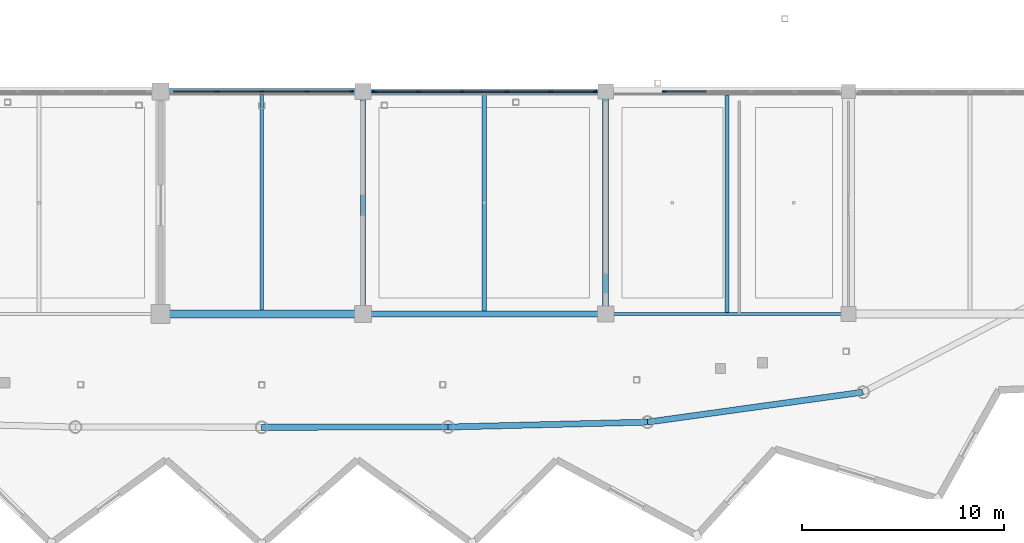
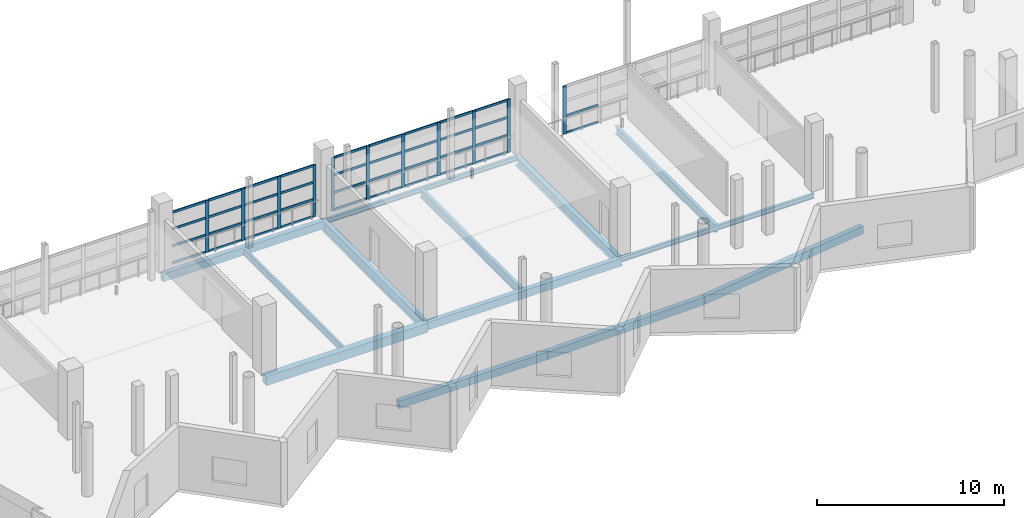
# One storey, part 35 of 118: 49 members, 13 beams, 3 elements without a shape of their own.
"""IFC4 building model written with IfcOpenShell, lengths in metres."""

from ifc_helpers import new_model, si_unit, direction, frame, origin, origin_2d, place, context, subcontext, project, spatial, rectangle, hollow_rectangle, i_section, extrude, material, material_profile, profile_set, type_object, element, aggregate, save


model = new_model("IFC4")

# Units and contexts
model_context = context("Model", 3, precision=1e-05, world=origin(), true_north=direction((0.0, 1.0)))
body_context = subcontext(model_context, "Body", "Model", "MODEL_VIEW")
ifc_project = project(units=[si_unit("LENGTHUNIT", "METRE"), si_unit("AREAUNIT", "SQUARE_METRE"), si_unit("VOLUMEUNIT", "CUBIC_METRE"), si_unit("PLANEANGLEUNIT", "RADIAN"), si_unit("MASSUNIT", "GRAM", prefix="KILO")], contexts=[model_context])

# Site, building, storey
site_placement = place(None, origin())
site = spatial("IfcSite", under=ifc_project, at=site_placement, CompositionType="ELEMENT")
building_placement = place(site_placement, origin())
building = spatial("IfcBuilding", under=site, at=building_placement, Name="Luwafu Chhajja Arena", CompositionType="ELEMENT")
storey_placement = place(building_placement, frame((0.0, 0.0, 10.199951171875)))
storey = spatial("IfcBuildingStorey", under=building, at=storey_placement, Name="L02", CompositionType="ELEMENT", Elevation=10.199951171875)

# Curtain wall, members
ifc_material_1 = material(Name="Anodised bronze aluminium", Category="aluminium")
curtain_wall_type = type_object("IfcCurtainWallType", Name="Hospitality Ring Curtain Wall", PredefinedType="USERDEFINED", material=ifc_material_1)
curtain_wall_1_placement = place(storey_placement, origin())
curtain_wall_1 = element("IfcCurtainWall", 1, at=curtain_wall_1_placement, inside=storey, type_object=curtain_wall_type, Name="L02 Bowl Viewing Curtain Wall CWR-L02-04", ObjectType="CURTAIN WALL", PredefinedType="USERDEFINED")
ifc_material_profile_1 = material_profile(ifc_material_1, rectangle(XDim=0.06494140625, YDim=0.199951171875, at=origin_2d()), Name="CWM 65x200")
ifc_profile_set_1 = profile_set([ifc_material_profile_1], Name="Anodised bronze aluminium")
member_type_1 = type_object("IfcMemberType", Name="Bronze Curtain Wall Mullion 65x200", PredefinedType="MULLION", material=ifc_profile_set_1)
member_1_placement = place(storey_placement, frame((96.788818359375, 22.0, 0.0), z_axis=(0.0, 0.0, 1.0), x_axis=(0.0, 1.0, 0.0)))
member_1 = element("IfcMember", 2, at=member_1_placement, type_object=member_type_1, Name="CW-02 mullion 2", PredefinedType="MULLION", context=body_context, shape_type="SweptSolid", body=[
    extrude(rectangle(XDim=0.06494140625, YDim=0.199951171875, at=origin_2d()), origin(), (0.0, 0.0, 1.0), 3.39013671875),
])
member_2_placement = place(storey_placement, frame((99.012451171875, 22.0, 0.0), z_axis=(0.0, 0.0, 1.0), x_axis=(0.0, 1.0, 0.0)))
member_2 = element("IfcMember", 3, at=member_2_placement, type_object=member_type_1, Name="CW-02 mullion 3", PredefinedType="MULLION", context=body_context, shape_type="SweptSolid", body=[
    extrude(rectangle(XDim=0.06494140625, YDim=0.199951171875, at=origin_2d()), origin(), (0.0, 0.0, 1.0), 3.39013671875),
])
member_3_placement = place(storey_placement, frame((101.236328125, 22.0, 0.0), z_axis=(0.0, 0.0, 1.0), x_axis=(0.0, 1.0, 0.0)))
member_3 = element("IfcMember", 4, at=member_3_placement, type_object=member_type_1, Name="CW-02 mullion 4", PredefinedType="MULLION", context=body_context, shape_type="SweptSolid", body=[
    extrude(rectangle(XDim=0.06494140625, YDim=0.199951171875, at=origin_2d()), origin(), (0.0, 0.0, 1.0), 3.39013671875),
])
member_4_placement = place(storey_placement, frame((103.427490234375, 22.0, 0.0), z_axis=(0.0, 0.0, 1.0), x_axis=(0.0, 1.0, 0.0)))
member_4 = element("IfcMember", 5, at=member_4_placement, type_object=member_type_1, Name="CW-02 mullion 5", PredefinedType="MULLION", context=body_context, shape_type="SweptSolid", body=[
    extrude(rectangle(XDim=0.06494140625, YDim=0.199951171875, at=origin_2d()), origin(), (0.0, 0.0, 1.0), 3.39013671875),
])

curtain_wall_2_placement = place(storey_placement, origin())
curtain_wall_2 = element("IfcCurtainWall", 6, at=curtain_wall_2_placement, inside=storey, type_object=curtain_wall_type, Name="L02 Bowl Viewing Curtain Wall CWR-L02-05", ObjectType="CURTAIN WALL", PredefinedType="USERDEFINED")
member_5_placement = place(storey_placement, frame((104.572509765625, 22.0, 0.0), z_axis=(0.0, 0.0, 1.0), x_axis=(0.0, 1.0, 0.0)))
member_5 = element("IfcMember", 7, at=member_5_placement, type_object=member_type_1, Name="CW-02 mullion 1", PredefinedType="MULLION", context=body_context, shape_type="SweptSolid", body=[
    extrude(rectangle(XDim=0.06494140625, YDim=0.199951171875, at=origin_2d()), origin(), (0.0, 0.0, 1.0), 3.469970703125),
])
member_6_placement = place(storey_placement, frame((106.72900390625, 22.0, 0.0), z_axis=(0.0, 0.0, 1.0), x_axis=(0.0, 1.0, 0.0)))
member_6 = element("IfcMember", 8, at=member_6_placement, type_object=member_type_1, Name="CW-02 mullion 2", PredefinedType="MULLION", context=body_context, shape_type="SweptSolid", body=[
    extrude(rectangle(XDim=0.06494140625, YDim=0.199951171875, at=origin_2d()), origin(), (0.0, 0.0, 1.0), 3.469970703125),
])
member_7_placement = place(storey_placement, frame((108.91796875, 22.0, 0.0), z_axis=(0.0, 0.0, 1.0), x_axis=(0.0, 1.0, 0.0)))
member_7 = element("IfcMember", 9, at=member_7_placement, type_object=member_type_1, Name="CW-02 mullion 3", PredefinedType="MULLION", context=body_context, shape_type="SweptSolid", body=[
    extrude(rectangle(XDim=0.06494140625, YDim=0.199951171875, at=origin_2d()), origin(), (0.0, 0.0, 1.0), 3.469970703125),
])
member_8_placement = place(storey_placement, frame((111.10693359375, 22.0, 0.0), z_axis=(0.0, 0.0, 1.0), x_axis=(0.0, 1.0, 0.0)))
member_8 = element("IfcMember", 10, at=member_8_placement, type_object=member_type_1, Name="CW-02 mullion 4", PredefinedType="MULLION", context=body_context, shape_type="SweptSolid", body=[
    extrude(rectangle(XDim=0.06494140625, YDim=0.199951171875, at=origin_2d()), origin(), (0.0, 0.0, 1.0), 3.469970703125),
])
member_9_placement = place(storey_placement, frame((113.2958984375, 22.0, 0.0), z_axis=(0.0, 0.0, 1.0), x_axis=(0.0, 1.0, 0.0)))
member_9 = element("IfcMember", 11, at=member_9_placement, type_object=member_type_1, Name="CW-02 mullion 5", PredefinedType="MULLION", context=body_context, shape_type="SweptSolid", body=[
    extrude(rectangle(XDim=0.06494140625, YDim=0.199951171875, at=origin_2d()), origin(), (0.0, 0.0, 1.0), 3.469970703125),
])
member_10_placement = place(storey_placement, frame((115.452392578125, 22.0, 0.0), z_axis=(0.0, 0.0, 1.0), x_axis=(0.0, 1.0, 0.0)))
member_10 = element("IfcMember", 12, at=member_10_placement, type_object=member_type_1, Name="CW-02 mullion 6", PredefinedType="MULLION", context=body_context, shape_type="SweptSolid", body=[
    extrude(rectangle(XDim=0.06494140625, YDim=0.199951171875, at=origin_2d()), origin(), (0.0, 0.0, 1.0), 3.469970703125),
])

# Curtain wall, member
curtain_wall_3_placement = place(storey_placement, origin())
curtain_wall_3 = element("IfcCurtainWall", 13, at=curtain_wall_3_placement, inside=storey, type_object=curtain_wall_type, Name="L02 Bowl Viewing Curtain Wall CWR-L02-06", ObjectType="CURTAIN WALL", PredefinedType="USERDEFINED")
member_11_placement = place(storey_placement, frame((118.899169921875, 22.0, 0.0), z_axis=(0.0, 0.0, 1.0), x_axis=(0.0, 1.0, 0.0)))
member_11 = element("IfcMember", 14, at=member_11_placement, type_object=member_type_1, Name="CW-02 mullion 1", PredefinedType="MULLION", context=body_context, shape_type="SweptSolid", body=[
    extrude(rectangle(XDim=0.06494140625, YDim=0.199951171875, at=origin_2d()), origin(), (0.0, 0.0, 1.0), 3.14013671875),
])

# Member
ifc_material_profile_2 = material_profile(ifc_material_1, rectangle(XDim=0.06494140625, YDim=0.14990234375, at=origin_2d()), Name="CWT 65x150")
ifc_profile_set_2 = profile_set([ifc_material_profile_2], Name="Anodised bronze aluminium")
member_type_2 = type_object("IfcMemberType", Name="Bronze Curtain Wall Transom 65x150", PredefinedType="USERDEFINED", material=ifc_profile_set_2)
member_12_placement = place(storey_placement, frame((94.6298828125, 22.0, 0.032470703125), z_axis=(1.0, 0.0, 0.0), x_axis=(0.0, 1.0, 0.0)))
member_12 = element("IfcMember", 15, at=member_12_placement, type_object=member_type_2, Name="CW-02 transom 1.1", ObjectType="TRANSOM", PredefinedType="USERDEFINED", context=body_context, shape_type="SweptSolid", body=[
    extrude(rectangle(XDim=0.06494140625, YDim=0.14990234375, at=origin_2d()), origin(), (0.0, 0.0, 1.0), 2.12646484375),
])

member_13_placement = place(storey_placement, frame((94.6298828125, 22.0, 1.150146484375), z_axis=(1.0, 0.0, 0.0), x_axis=(0.0, 1.0, 0.0)))
member_13 = element("IfcMember", 16, at=member_13_placement, type_object=member_type_2, Name="CW-02 transom 1.2", ObjectType="TRANSOM", PredefinedType="USERDEFINED", context=body_context, shape_type="SweptSolid", body=[
    extrude(rectangle(XDim=0.06494140625, YDim=0.14990234375, at=origin_2d()), origin(), (0.0, 0.0, 1.0), 2.12646484375),
])

member_14_placement = place(storey_placement, frame((94.6298828125, 22.0, 2.27001953125), z_axis=(1.0, 0.0, 0.0), x_axis=(0.0, 1.0, 0.0)))
member_14 = element("IfcMember", 17, at=member_14_placement, type_object=member_type_2, Name="CW-02 transom 1.3", ObjectType="TRANSOM", PredefinedType="USERDEFINED", context=body_context, shape_type="SweptSolid", body=[
    extrude(rectangle(XDim=0.06494140625, YDim=0.14990234375, at=origin_2d()), origin(), (0.0, 0.0, 1.0), 2.12646484375),
])

member_15_placement = place(storey_placement, frame((94.6298828125, 22.0, 3.357666015625), z_axis=(1.0, 0.0, 0.0), x_axis=(0.0, 1.0, 0.0)))
member_15 = element("IfcMember", 18, at=member_15_placement, type_object=member_type_2, Name="CW-02 transom 1.4", ObjectType="TRANSOM", PredefinedType="USERDEFINED", context=body_context, shape_type="SweptSolid", body=[
    extrude(rectangle(XDim=0.06494140625, YDim=0.14990234375, at=origin_2d()), origin(), (0.0, 0.0, 1.0), 2.12646484375),
])

member_16_placement = place(storey_placement, frame((96.8212890625, 22.0, 0.032470703125), z_axis=(1.0, 0.0, 0.0), x_axis=(0.0, 1.0, 0.0)))
member_16 = element("IfcMember", 19, at=member_16_placement, type_object=member_type_2, Name="CW-02 transom 2.1", ObjectType="TRANSOM", PredefinedType="USERDEFINED", context=body_context, shape_type="SweptSolid", body=[
    extrude(rectangle(XDim=0.06494140625, YDim=0.14990234375, at=origin_2d()), origin(), (0.0, 0.0, 1.0), 2.15869140625),
])

member_17_placement = place(storey_placement, frame((96.8212890625, 22.0, 1.150146484375), z_axis=(1.0, 0.0, 0.0), x_axis=(0.0, 1.0, 0.0)))
member_17 = element("IfcMember", 20, at=member_17_placement, type_object=member_type_2, Name="CW-02 transom 2.2", ObjectType="TRANSOM", PredefinedType="USERDEFINED", context=body_context, shape_type="SweptSolid", body=[
    extrude(rectangle(XDim=0.06494140625, YDim=0.14990234375, at=origin_2d()), origin(), (0.0, 0.0, 1.0), 2.15869140625),
])

member_18_placement = place(storey_placement, frame((96.8212890625, 22.0, 2.27001953125), z_axis=(1.0, 0.0, 0.0), x_axis=(0.0, 1.0, 0.0)))
member_18 = element("IfcMember", 21, at=member_18_placement, type_object=member_type_2, Name="CW-02 transom 2.3", ObjectType="TRANSOM", PredefinedType="USERDEFINED", context=body_context, shape_type="SweptSolid", body=[
    extrude(rectangle(XDim=0.06494140625, YDim=0.14990234375, at=origin_2d()), origin(), (0.0, 0.0, 1.0), 2.15869140625),
])

member_19_placement = place(storey_placement, frame((96.8212890625, 22.0, 3.357666015625), z_axis=(1.0, 0.0, 0.0), x_axis=(0.0, 1.0, 0.0)))
member_19 = element("IfcMember", 22, at=member_19_placement, type_object=member_type_2, Name="CW-02 transom 2.4", ObjectType="TRANSOM", PredefinedType="USERDEFINED", context=body_context, shape_type="SweptSolid", body=[
    extrude(rectangle(XDim=0.06494140625, YDim=0.14990234375, at=origin_2d()), origin(), (0.0, 0.0, 1.0), 2.15869140625),
])

member_20_placement = place(storey_placement, frame((99.044921875, 22.0, 0.032470703125), z_axis=(1.0, 0.0, 0.0), x_axis=(0.0, 1.0, 0.0)))
member_20 = element("IfcMember", 23, at=member_20_placement, type_object=member_type_2, Name="CW-02 transom 3.1", ObjectType="TRANSOM", PredefinedType="USERDEFINED", context=body_context, shape_type="SweptSolid", body=[
    extrude(rectangle(XDim=0.06494140625, YDim=0.14990234375, at=origin_2d()), origin(), (0.0, 0.0, 1.0), 2.158935546875),
])

member_21_placement = place(storey_placement, frame((99.044921875, 22.0, 1.150146484375), z_axis=(1.0, 0.0, 0.0), x_axis=(0.0, 1.0, 0.0)))
member_21 = element("IfcMember", 24, at=member_21_placement, type_object=member_type_2, Name="CW-02 transom 3.2", ObjectType="TRANSOM", PredefinedType="USERDEFINED", context=body_context, shape_type="SweptSolid", body=[
    extrude(rectangle(XDim=0.06494140625, YDim=0.14990234375, at=origin_2d()), origin(), (0.0, 0.0, 1.0), 2.158935546875),
])

member_22_placement = place(storey_placement, frame((99.044921875, 22.0, 2.27001953125), z_axis=(1.0, 0.0, 0.0), x_axis=(0.0, 1.0, 0.0)))
member_22 = element("IfcMember", 25, at=member_22_placement, type_object=member_type_2, Name="CW-02 transom 3.3", ObjectType="TRANSOM", PredefinedType="USERDEFINED", context=body_context, shape_type="SweptSolid", body=[
    extrude(rectangle(XDim=0.06494140625, YDim=0.14990234375, at=origin_2d()), origin(), (0.0, 0.0, 1.0), 2.158935546875),
])

member_23_placement = place(storey_placement, frame((99.044921875, 22.0, 3.357666015625), z_axis=(1.0, 0.0, 0.0), x_axis=(0.0, 1.0, 0.0)))
member_23 = element("IfcMember", 26, at=member_23_placement, type_object=member_type_2, Name="CW-02 transom 3.4", ObjectType="TRANSOM", PredefinedType="USERDEFINED", context=body_context, shape_type="SweptSolid", body=[
    extrude(rectangle(XDim=0.06494140625, YDim=0.14990234375, at=origin_2d()), origin(), (0.0, 0.0, 1.0), 2.158935546875),
])

member_24_placement = place(storey_placement, frame((101.268798828125, 22.0, 0.032470703125), z_axis=(1.0, 0.0, 0.0), x_axis=(0.0, 1.0, 0.0)))
member_24 = element("IfcMember", 27, at=member_24_placement, type_object=member_type_2, Name="CW-02 transom 4.1", ObjectType="TRANSOM", PredefinedType="USERDEFINED", context=body_context, shape_type="SweptSolid", body=[
    extrude(rectangle(XDim=0.06494140625, YDim=0.14990234375, at=origin_2d()), origin(), (0.0, 0.0, 1.0), 2.126220703125),
])

member_25_placement = place(storey_placement, frame((101.268798828125, 22.0, 1.150146484375), z_axis=(1.0, 0.0, 0.0), x_axis=(0.0, 1.0, 0.0)))
member_25 = element("IfcMember", 28, at=member_25_placement, type_object=member_type_2, Name="CW-02 transom 4.2", ObjectType="TRANSOM", PredefinedType="USERDEFINED", context=body_context, shape_type="SweptSolid", body=[
    extrude(rectangle(XDim=0.06494140625, YDim=0.14990234375, at=origin_2d()), origin(), (0.0, 0.0, 1.0), 2.126220703125),
])

member_26_placement = place(storey_placement, frame((101.268798828125, 22.0, 2.27001953125), z_axis=(1.0, 0.0, 0.0), x_axis=(0.0, 1.0, 0.0)))
member_26 = element("IfcMember", 29, at=member_26_placement, type_object=member_type_2, Name="CW-02 transom 4.3", ObjectType="TRANSOM", PredefinedType="USERDEFINED", context=body_context, shape_type="SweptSolid", body=[
    extrude(rectangle(XDim=0.06494140625, YDim=0.14990234375, at=origin_2d()), origin(), (0.0, 0.0, 1.0), 2.126220703125),
])

member_27_placement = place(storey_placement, frame((101.268798828125, 22.0, 3.357666015625), z_axis=(1.0, 0.0, 0.0), x_axis=(0.0, 1.0, 0.0)))
member_27 = element("IfcMember", 30, at=member_27_placement, type_object=member_type_2, Name="CW-02 transom 4.4", ObjectType="TRANSOM", PredefinedType="USERDEFINED", context=body_context, shape_type="SweptSolid", body=[
    extrude(rectangle(XDim=0.06494140625, YDim=0.14990234375, at=origin_2d()), origin(), (0.0, 0.0, 1.0), 2.126220703125),
])

aggregate(curtain_wall_1, [member_1, member_2, member_3, member_4, member_12, member_13, member_14, member_15, member_16, member_17, member_18, member_19, member_20, member_21, member_22, member_23, member_24, member_25, member_26, member_27])

member_28_placement = place(storey_placement, frame((104.60498046875, 22.0, 0.032470703125), z_axis=(1.0, 0.0, 0.0), x_axis=(0.0, 1.0, 0.0)))
member_28 = element("IfcMember", 31, at=member_28_placement, type_object=member_type_2, Name="CW-02 transom 1.1", ObjectType="TRANSOM", PredefinedType="USERDEFINED", context=body_context, shape_type="SweptSolid", body=[
    extrude(rectangle(XDim=0.06494140625, YDim=0.14990234375, at=origin_2d()), origin(), (0.0, 0.0, 1.0), 2.091552734375),
])

member_29_placement = place(storey_placement, frame((104.60498046875, 22.0, 1.150146484375), z_axis=(1.0, 0.0, 0.0), x_axis=(0.0, 1.0, 0.0)))
member_29 = element("IfcMember", 32, at=member_29_placement, type_object=member_type_2, Name="CW-02 transom 1.2", ObjectType="TRANSOM", PredefinedType="USERDEFINED", context=body_context, shape_type="SweptSolid", body=[
    extrude(rectangle(XDim=0.06494140625, YDim=0.14990234375, at=origin_2d()), origin(), (0.0, 0.0, 1.0), 2.091552734375),
])

member_30_placement = place(storey_placement, frame((104.60498046875, 22.0, 2.31005859375), z_axis=(1.0, 0.0, 0.0), x_axis=(0.0, 1.0, 0.0)))
member_30 = element("IfcMember", 33, at=member_30_placement, type_object=member_type_2, Name="CW-02 transom 1.3", ObjectType="TRANSOM", PredefinedType="USERDEFINED", context=body_context, shape_type="SweptSolid", body=[
    extrude(rectangle(XDim=0.06494140625, YDim=0.14990234375, at=origin_2d()), origin(), (0.0, 0.0, 1.0), 2.091552734375),
])

member_31_placement = place(storey_placement, frame((104.60498046875, 22.0, 3.437255859375), z_axis=(1.0, 0.0, 0.0), x_axis=(0.0, 1.0, 0.0)))
member_31 = element("IfcMember", 34, at=member_31_placement, type_object=member_type_2, Name="CW-02 transom 1.4", ObjectType="TRANSOM", PredefinedType="USERDEFINED", context=body_context, shape_type="SweptSolid", body=[
    extrude(rectangle(XDim=0.06494140625, YDim=0.14990234375, at=origin_2d()), origin(), (0.0, 0.0, 1.0), 2.091552734375),
])

member_32_placement = place(storey_placement, frame((106.761474609375, 22.0, 0.032470703125), z_axis=(1.0, 0.0, 0.0), x_axis=(0.0, 1.0, 0.0)))
member_32 = element("IfcMember", 35, at=member_32_placement, type_object=member_type_2, Name="CW-02 transom 2.1", ObjectType="TRANSOM", PredefinedType="USERDEFINED", context=body_context, shape_type="SweptSolid", body=[
    extrude(rectangle(XDim=0.06494140625, YDim=0.14990234375, at=origin_2d()), origin(), (0.0, 0.0, 1.0), 2.1240234375),
])

member_33_placement = place(storey_placement, frame((106.761474609375, 22.0, 1.150146484375), z_axis=(1.0, 0.0, 0.0), x_axis=(0.0, 1.0, 0.0)))
member_33 = element("IfcMember", 36, at=member_33_placement, type_object=member_type_2, Name="CW-02 transom 2.2", ObjectType="TRANSOM", PredefinedType="USERDEFINED", context=body_context, shape_type="SweptSolid", body=[
    extrude(rectangle(XDim=0.06494140625, YDim=0.14990234375, at=origin_2d()), origin(), (0.0, 0.0, 1.0), 2.1240234375),
])

member_34_placement = place(storey_placement, frame((106.761474609375, 22.0, 2.31005859375), z_axis=(1.0, 0.0, 0.0), x_axis=(0.0, 1.0, 0.0)))
member_34 = element("IfcMember", 37, at=member_34_placement, type_object=member_type_2, Name="CW-02 transom 2.3", ObjectType="TRANSOM", PredefinedType="USERDEFINED", context=body_context, shape_type="SweptSolid", body=[
    extrude(rectangle(XDim=0.06494140625, YDim=0.14990234375, at=origin_2d()), origin(), (0.0, 0.0, 1.0), 2.1240234375),
])

member_35_placement = place(storey_placement, frame((106.761474609375, 22.0, 3.437255859375), z_axis=(1.0, 0.0, 0.0), x_axis=(0.0, 1.0, 0.0)))
member_35 = element("IfcMember", 38, at=member_35_placement, type_object=member_type_2, Name="CW-02 transom 2.4", ObjectType="TRANSOM", PredefinedType="USERDEFINED", context=body_context, shape_type="SweptSolid", body=[
    extrude(rectangle(XDim=0.06494140625, YDim=0.14990234375, at=origin_2d()), origin(), (0.0, 0.0, 1.0), 2.1240234375),
])

member_36_placement = place(storey_placement, frame((108.950439453125, 22.0, 0.032470703125), z_axis=(1.0, 0.0, 0.0), x_axis=(0.0, 1.0, 0.0)))
member_36 = element("IfcMember", 39, at=member_36_placement, type_object=member_type_2, Name="CW-02 transom 3.1", ObjectType="TRANSOM", PredefinedType="USERDEFINED", context=body_context, shape_type="SweptSolid", body=[
    extrude(rectangle(XDim=0.06494140625, YDim=0.14990234375, at=origin_2d()), origin(), (0.0, 0.0, 1.0), 2.1240234375),
])

member_37_placement = place(storey_placement, frame((108.950439453125, 22.0, 1.150146484375), z_axis=(1.0, 0.0, 0.0), x_axis=(0.0, 1.0, 0.0)))
member_37 = element("IfcMember", 40, at=member_37_placement, type_object=member_type_2, Name="CW-02 transom 3.2", ObjectType="TRANSOM", PredefinedType="USERDEFINED", context=body_context, shape_type="SweptSolid", body=[
    extrude(rectangle(XDim=0.06494140625, YDim=0.14990234375, at=origin_2d()), origin(), (0.0, 0.0, 1.0), 2.1240234375),
])

member_38_placement = place(storey_placement, frame((108.950439453125, 22.0, 2.31005859375), z_axis=(1.0, 0.0, 0.0), x_axis=(0.0, 1.0, 0.0)))
member_38 = element("IfcMember", 41, at=member_38_placement, type_object=member_type_2, Name="CW-02 transom 3.3", ObjectType="TRANSOM", PredefinedType="USERDEFINED", context=body_context, shape_type="SweptSolid", body=[
    extrude(rectangle(XDim=0.06494140625, YDim=0.14990234375, at=origin_2d()), origin(), (0.0, 0.0, 1.0), 2.1240234375),
])

member_39_placement = place(storey_placement, frame((108.950439453125, 22.0, 3.437255859375), z_axis=(1.0, 0.0, 0.0), x_axis=(0.0, 1.0, 0.0)))
member_39 = element("IfcMember", 42, at=member_39_placement, type_object=member_type_2, Name="CW-02 transom 3.4", ObjectType="TRANSOM", PredefinedType="USERDEFINED", context=body_context, shape_type="SweptSolid", body=[
    extrude(rectangle(XDim=0.06494140625, YDim=0.14990234375, at=origin_2d()), origin(), (0.0, 0.0, 1.0), 2.1240234375),
])

member_40_placement = place(storey_placement, frame((111.139404296875, 22.0, 0.032470703125), z_axis=(1.0, 0.0, 0.0), x_axis=(0.0, 1.0, 0.0)))
member_40 = element("IfcMember", 43, at=member_40_placement, type_object=member_type_2, Name="CW-02 transom 4.1", ObjectType="TRANSOM", PredefinedType="USERDEFINED", context=body_context, shape_type="SweptSolid", body=[
    extrude(rectangle(XDim=0.06494140625, YDim=0.14990234375, at=origin_2d()), origin(), (0.0, 0.0, 1.0), 2.1240234375),
])

member_41_placement = place(storey_placement, frame((111.139404296875, 22.0, 1.150146484375), z_axis=(1.0, 0.0, 0.0), x_axis=(0.0, 1.0, 0.0)))
member_41 = element("IfcMember", 44, at=member_41_placement, type_object=member_type_2, Name="CW-02 transom 4.2", ObjectType="TRANSOM", PredefinedType="USERDEFINED", context=body_context, shape_type="SweptSolid", body=[
    extrude(rectangle(XDim=0.06494140625, YDim=0.14990234375, at=origin_2d()), origin(), (0.0, 0.0, 1.0), 2.1240234375),
])

member_42_placement = place(storey_placement, frame((111.139404296875, 22.0, 2.31005859375), z_axis=(1.0, 0.0, 0.0), x_axis=(0.0, 1.0, 0.0)))
member_42 = element("IfcMember", 45, at=member_42_placement, type_object=member_type_2, Name="CW-02 transom 4.3", ObjectType="TRANSOM", PredefinedType="USERDEFINED", context=body_context, shape_type="SweptSolid", body=[
    extrude(rectangle(XDim=0.06494140625, YDim=0.14990234375, at=origin_2d()), origin(), (0.0, 0.0, 1.0), 2.1240234375),
])

member_43_placement = place(storey_placement, frame((111.139404296875, 22.0, 3.437255859375), z_axis=(1.0, 0.0, 0.0), x_axis=(0.0, 1.0, 0.0)))
member_43 = element("IfcMember", 46, at=member_43_placement, type_object=member_type_2, Name="CW-02 transom 4.4", ObjectType="TRANSOM", PredefinedType="USERDEFINED", context=body_context, shape_type="SweptSolid", body=[
    extrude(rectangle(XDim=0.06494140625, YDim=0.14990234375, at=origin_2d()), origin(), (0.0, 0.0, 1.0), 2.1240234375),
])

member_44_placement = place(storey_placement, frame((113.32861328125, 22.0, 0.032470703125), z_axis=(1.0, 0.0, 0.0), x_axis=(0.0, 1.0, 0.0)))
member_44 = element("IfcMember", 47, at=member_44_placement, type_object=member_type_2, Name="CW-02 transom 5.1", ObjectType="TRANSOM", PredefinedType="USERDEFINED", context=body_context, shape_type="SweptSolid", body=[
    extrude(rectangle(XDim=0.06494140625, YDim=0.14990234375, at=origin_2d()), origin(), (0.0, 0.0, 1.0), 2.09130859375),
])

member_45_placement = place(storey_placement, frame((113.32861328125, 22.0, 1.150146484375), z_axis=(1.0, 0.0, 0.0), x_axis=(0.0, 1.0, 0.0)))
member_45 = element("IfcMember", 48, at=member_45_placement, type_object=member_type_2, Name="CW-02 transom 5.2", ObjectType="TRANSOM", PredefinedType="USERDEFINED", context=body_context, shape_type="SweptSolid", body=[
    extrude(rectangle(XDim=0.06494140625, YDim=0.14990234375, at=origin_2d()), origin(), (0.0, 0.0, 1.0), 2.09130859375),
])

member_46_placement = place(storey_placement, frame((113.32861328125, 22.0, 2.31005859375), z_axis=(1.0, 0.0, 0.0), x_axis=(0.0, 1.0, 0.0)))
member_46 = element("IfcMember", 49, at=member_46_placement, type_object=member_type_2, Name="CW-02 transom 5.3", ObjectType="TRANSOM", PredefinedType="USERDEFINED", context=body_context, shape_type="SweptSolid", body=[
    extrude(rectangle(XDim=0.06494140625, YDim=0.14990234375, at=origin_2d()), origin(), (0.0, 0.0, 1.0), 2.09130859375),
])

member_47_placement = place(storey_placement, frame((113.32861328125, 22.0, 3.437255859375), z_axis=(1.0, 0.0, 0.0), x_axis=(0.0, 1.0, 0.0)))
member_47 = element("IfcMember", 50, at=member_47_placement, type_object=member_type_2, Name="CW-02 transom 5.4", ObjectType="TRANSOM", PredefinedType="USERDEFINED", context=body_context, shape_type="SweptSolid", body=[
    extrude(rectangle(XDim=0.06494140625, YDim=0.14990234375, at=origin_2d()), origin(), (0.0, 0.0, 1.0), 2.09130859375),
])

aggregate(curtain_wall_2, [member_5, member_6, member_7, member_8, member_9, member_10, member_28, member_29, member_30, member_31, member_32, member_33, member_34, member_35, member_36, member_37, member_38, member_39, member_40, member_41, member_42, member_43, member_44, member_45, member_46, member_47])

member_48_placement = place(storey_placement, frame((118.931640625, 22.0, 0.032470703125), z_axis=(1.0, 0.0, 0.0), x_axis=(0.0, 1.0, 0.0)))
member_48 = element("IfcMember", 51, at=member_48_placement, type_object=member_type_2, Name="CW-02 transom 1.1", ObjectType="TRANSOM", PredefinedType="USERDEFINED", context=body_context, shape_type="SweptSolid", body=[
    extrude(rectangle(XDim=0.06494140625, YDim=0.14990234375, at=origin_2d()), origin(), (0.0, 0.0, 1.0), 2.063232421875),
])

member_49_placement = place(storey_placement, frame((118.931640625, 22.0, 1.150146484375), z_axis=(1.0, 0.0, 0.0), x_axis=(0.0, 1.0, 0.0)))
member_49 = element("IfcMember", 52, at=member_49_placement, type_object=member_type_2, Name="CW-02 transom 1.2", ObjectType="TRANSOM", PredefinedType="USERDEFINED", context=body_context, shape_type="SweptSolid", body=[
    extrude(rectangle(XDim=0.06494140625, YDim=0.14990234375, at=origin_2d()), origin(), (0.0, 0.0, 1.0), 2.063232421875),
])

aggregate(curtain_wall_3, [member_11, member_48, member_49])

# Beams
ifc_material_2 = material(Name="Steel S355", Category="steel")
ifc_material_profile_3 = material_profile(ifc_material_2, i_section(OverallWidth=0.165771484375, OverallDepth=0.306640625, WebThickness=0.006591796875, FlangeThickness=0.01171875, at=origin_2d()), Name="UB 305x165x46")
ifc_profile_set_3 = profile_set([ifc_material_profile_3], Name="Steel S355")
beam_type_1 = type_object("IfcBeamType", Name="Concourse Edge Spandrel Beam UB 305x165x46", PredefinedType="SPANDREL", material=ifc_profile_set_3)
for number, where, z_axis, x_axis, name in (
    (53, (104.0, 22.0, -0.543212890625), (1.0, 0.0, 0.0), (0.0, 1.0, 0.0), "L02 Grid Beam 10-11/C"),
    (54, (116.0, 11.0, -0.543212890625), (1.0, 0.0, 0.0), (0.0, 1.0, 0.0), "L02 Grid Beam 11-12/B"),
):
    element("IfcBeam", number, at=place(storey_placement, frame(where, z_axis=z_axis, x_axis=x_axis)), inside=storey, type_object=beam_type_1, Name=name, PredefinedType="SPANDREL", context=body_context, shape_type="SweptSolid", body=[
        extrude(i_section(OverallWidth=0.165771484375, OverallDepth=0.306640625, WebThickness=0.006591796875, FlangeThickness=0.01171875, at=origin_2d()), origin(), (0.0, 0.0, 1.0), 12.0),
    ])
ifc_material_profile_4 = material_profile(ifc_material_2, i_section(OverallWidth=0.15283203125, OverallDepth=0.45458984375, WebThickness=0.008056640625, FlangeThickness=0.01318359375, at=origin_2d()), Name="UB 457x152x60")
ifc_profile_set_4 = profile_set([ifc_material_profile_4], Name="Steel S355")
beam_type_2 = type_object("IfcBeamType", Name="Floor Joist UB 457x152x60", PredefinedType="JOIST", material=ifc_profile_set_4)
beam_1_placement = place(storey_placement, frame((99.0, 11.199951171875, -0.6171875), z_axis=(0.0, 1.0, 0.0), x_axis=(-1.0, 0.0, 0.0)))
element("IfcBeam", 55, at=beam_1_placement, inside=storey, type_object=beam_type_2, Name="L02 Secondary Joist 9-10/B", PredefinedType="JOIST", context=body_context, shape_type="SweptSolid", body=[
    extrude(i_section(OverallWidth=0.15283203125, OverallDepth=0.45458984375, WebThickness=0.008056640625, FlangeThickness=0.01318359375, at=origin_2d()), origin(), (0.0, 0.0, 1.0), 10.650146484375),
])
ifc_material_profile_5 = material_profile(ifc_material_2, i_section(OverallWidth=0.2099609375, OverallDepth=0.53662109375, WebThickness=0.0107421875, FlangeThickness=0.017333984375, at=origin_2d()), Name="UB 533x210x101")
ifc_profile_set_5 = profile_set([ifc_material_profile_5], Name="Steel S355")
beam_type_3 = type_object("IfcBeamType", Name="Floor Joist UB 533x210x101", PredefinedType="JOIST", material=ifc_profile_set_5)
beam_2_placement = place(storey_placement, frame((110.0, 11.14990234375, -0.658203125), z_axis=(0.0, 1.0, 0.0), x_axis=(-1.0, 0.0, 0.0)))
element("IfcBeam", 56, at=beam_2_placement, inside=storey, type_object=beam_type_3, Name="L02 Secondary Joist 10-11/B", PredefinedType="JOIST", context=body_context, shape_type="SweptSolid", body=[
    extrude(i_section(OverallWidth=0.2099609375, OverallDepth=0.53662109375, WebThickness=0.0107421875, FlangeThickness=0.017333984375, at=origin_2d()), origin(), (0.0, 0.0, 1.0), 10.76708984375),
])
ifc_material_profile_6 = material_profile(ifc_material_2, i_section(OverallWidth=0.209228515625, OverallDepth=0.533203125, WebThickness=0.010009765625, FlangeThickness=0.015625, at=origin_2d()), Name="UB 533x210x92")
ifc_profile_set_6 = profile_set([ifc_material_profile_6], Name="Steel S355")
beam_type_4 = type_object("IfcBeamType", Name="Floor Joist UB 533x210x92", PredefinedType="JOIST", material=ifc_profile_set_6)
beam_3_placement = place(storey_placement, frame((122.0, 11.0830078125, -0.656494140625), z_axis=(0.0, 1.0, 0.0), x_axis=(-1.0, 0.0, 0.0)))
element("IfcBeam", 57, at=beam_3_placement, inside=storey, type_object=beam_type_4, Name="L02 Secondary Joist 11-12/B", PredefinedType="JOIST", context=body_context, shape_type="SweptSolid", body=[
    extrude(i_section(OverallWidth=0.209228515625, OverallDepth=0.533203125, WebThickness=0.010009765625, FlangeThickness=0.015625, at=origin_2d()), origin(), (0.0, 0.0, 1.0), 10.717041015625),
])
ifc_material_profile_7 = material_profile(ifc_material_2, hollow_rectangle(XDim=0.300048828125, YDim=0.5, WallThickness=0.02001953125, at=origin_2d()), Name="RHS 500x300x20")
ifc_profile_set_7 = profile_set([ifc_material_profile_7], Name="Steel S355")
beam_type_5 = type_object("IfcBeamType", Name="Pleated Drum Spandrel Beam RHS 500x300", PredefinedType="SPANDREL", material=ifc_profile_set_7)
beam_4_placement = place(storey_placement, frame((94.0, 22.0, -0.639892578125), z_axis=(1.0, 0.0, 0.0), x_axis=(0.0, 1.0, 0.0)))
element("IfcBeam", 58, at=beam_4_placement, inside=storey, type_object=beam_type_5, Name="L02 Grid Beam 9-10/C", PredefinedType="SPANDREL", context=body_context, shape_type="SweptSolid", body=[
    extrude(hollow_rectangle(XDim=0.300048828125, YDim=0.5, WallThickness=0.02001953125, at=origin_2d()), origin(), (0.0, 0.0, 1.0), 10.0),
])
beam_5_placement = place(storey_placement, frame((104.0, 11.0, -0.639892578125), z_axis=(1.0, 0.0, 0.0), x_axis=(0.0, 1.0, 0.0)))
element("IfcBeam", 59, at=beam_5_placement, inside=storey, type_object=beam_type_5, Name="L02 Grid Beam 10-11/B", PredefinedType="SPANDREL", context=body_context, shape_type="SweptSolid", body=[
    extrude(hollow_rectangle(XDim=0.300048828125, YDim=0.5, WallThickness=0.02001953125, at=origin_2d()), origin(), (0.0, 0.0, 1.0), 12.0),
])
beam_6_placement = place(storey_placement, frame((99.0, 5.39990234375, -0.639892578125), z_axis=(0.999999155928, 0.001299285621, 0.0), x_axis=(-0.001299285621, 0.999999155928, 0.0)))
element("IfcBeam", 60, at=beam_6_placement, inside=storey, type_object=beam_type_5, Name="L02 Drum Ring Spandrel D25-D26", PredefinedType="SPANDREL", context=body_context, shape_type="SweptSolid", body=[
    extrude(hollow_rectangle(XDim=0.300048828125, YDim=0.5, WallThickness=0.02001953125, at=origin_2d()), origin(), (0.0, 0.0, 1.0), 9.207275390625),
])
beam_7_placement = place(storey_placement, frame((108.207275390625, 5.411865234375, -0.639892578125), z_axis=(0.999695420837, 0.024679253567, 0.0), x_axis=(-0.024679253567, 0.999695420837, 0.0)))
element("IfcBeam", 61, at=beam_7_placement, inside=storey, type_object=beam_type_5, Name="L02 Drum Ring Spandrel D26-D27", PredefinedType="SPANDREL", context=body_context, shape_type="SweptSolid", body=[
    extrude(hollow_rectangle(XDim=0.300048828125, YDim=0.5, WallThickness=0.02001953125, at=origin_2d()), origin(), (0.0, 0.0, 1.0), 9.86279296875),
])
beam_8_placement = place(storey_placement, frame((118.067138671875, 5.6552734375, -0.639892578125), z_axis=(0.990458730054, 0.137809666058, 0.0), x_axis=(-0.137809666058, 0.990458730054, 0.0)))
element("IfcBeam", 62, at=beam_8_placement, inside=storey, type_object=beam_type_5, Name="L02 Drum Ring Spandrel D27-D28", PredefinedType="SPANDREL", context=body_context, shape_type="SweptSolid", body=[
    extrude(hollow_rectangle(XDim=0.300048828125, YDim=0.5, WallThickness=0.02001953125, at=origin_2d()), origin(), (0.0, 0.0, 1.0), 10.75341796875),
])
ifc_material_3 = material(Name="Concrete C35/45", Category="concrete")
ifc_material_profile_8 = material_profile(ifc_material_3, rectangle(XDim=0.39990234375, YDim=0.60009765625, at=origin_2d()), Name="RC 400x600")
ifc_profile_set_8 = profile_set([ifc_material_profile_8], Name="Concrete C35/45")
beam_type_6 = type_object("IfcBeamType", Name="Podium Perimeter Spandrel RC 400x600", PredefinedType="SPANDREL", material=ifc_profile_set_8)
beam_9_placement = place(storey_placement, frame((94.0, 11.0, -0.68994140625), z_axis=(1.0, 0.0, 0.0), x_axis=(0.0, 1.0, 0.0)))
element("IfcBeam", 63, at=beam_9_placement, inside=storey, type_object=beam_type_6, Name="L02 Grid Beam 9-10/B", PredefinedType="SPANDREL", context=body_context, shape_type="SweptSolid", body=[
    extrude(rectangle(XDim=0.39990234375, YDim=0.60009765625, at=origin_2d()), origin(), (0.0, 0.0, 1.0), 10.0),
])
ifc_material_profile_9 = material_profile(ifc_material_2, i_section(OverallWidth=0.253662109375, OverallDepth=0.68359375, WebThickness=0.012451171875, FlangeThickness=0.01904296875, at=origin_2d()), Name="UB 686x254x140")
ifc_profile_set_9 = profile_set([ifc_material_profile_9], Name="Steel S355")
beam_type_7 = type_object("IfcBeamType", Name="Steel Concourse Girder UB 686x254x140", PredefinedType="BEAM", material=ifc_profile_set_9)
beam_10_placement = place(storey_placement, frame((104.0, 11.0, -0.731689453125), z_axis=(0.0, 1.0, 0.0), x_axis=(-1.0, 0.0, 0.0)))
element("IfcBeam", 64, at=beam_10_placement, inside=storey, type_object=beam_type_7, Name="L02 Grid Beam 10/B-C", PredefinedType="BEAM", context=body_context, shape_type="SweptSolid", body=[
    extrude(i_section(OverallWidth=0.253662109375, OverallDepth=0.68359375, WebThickness=0.012451171875, FlangeThickness=0.01904296875, at=origin_2d()), origin(), (0.0, 0.0, 1.0), 11.0),
])
ifc_material_profile_10 = material_profile(ifc_material_2, i_section(OverallWidth=0.300048828125, OverallDepth=0.60009765625, WebThickness=0.015380859375, FlangeThickness=0.030029296875, at=origin_2d()), Name="HEB 600")
ifc_profile_set_10 = profile_set([ifc_material_profile_10], Name="Steel S355")
beam_type_8 = type_object("IfcBeamType", Name="Steel Gallery Girder HEB 600", PredefinedType="BEAM", material=ifc_profile_set_10)
beam_11_placement = place(storey_placement, frame((116.0, 11.0, -0.68994140625), z_axis=(0.0, 1.0, 0.0), x_axis=(-1.0, 0.0, 0.0)))
element("IfcBeam", 65, at=beam_11_placement, inside=storey, type_object=beam_type_8, Name="L02 Grid Beam 11/B-C", PredefinedType="BEAM", context=body_context, shape_type="SweptSolid", body=[
    extrude(i_section(OverallWidth=0.300048828125, OverallDepth=0.60009765625, WebThickness=0.015380859375, FlangeThickness=0.030029296875, at=origin_2d()), origin(), (0.0, 0.0, 1.0), 11.0),
])

save(model, "model.ifc")
